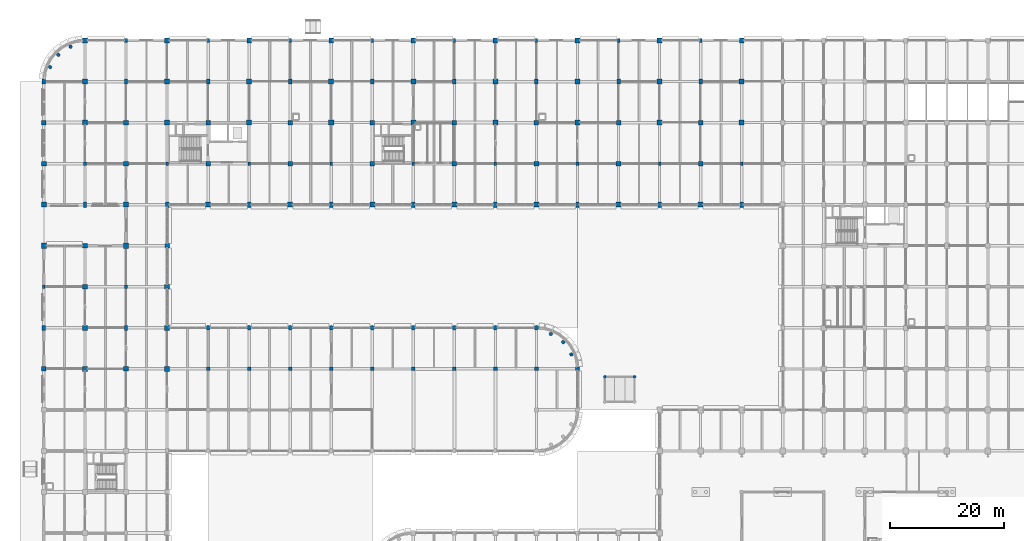
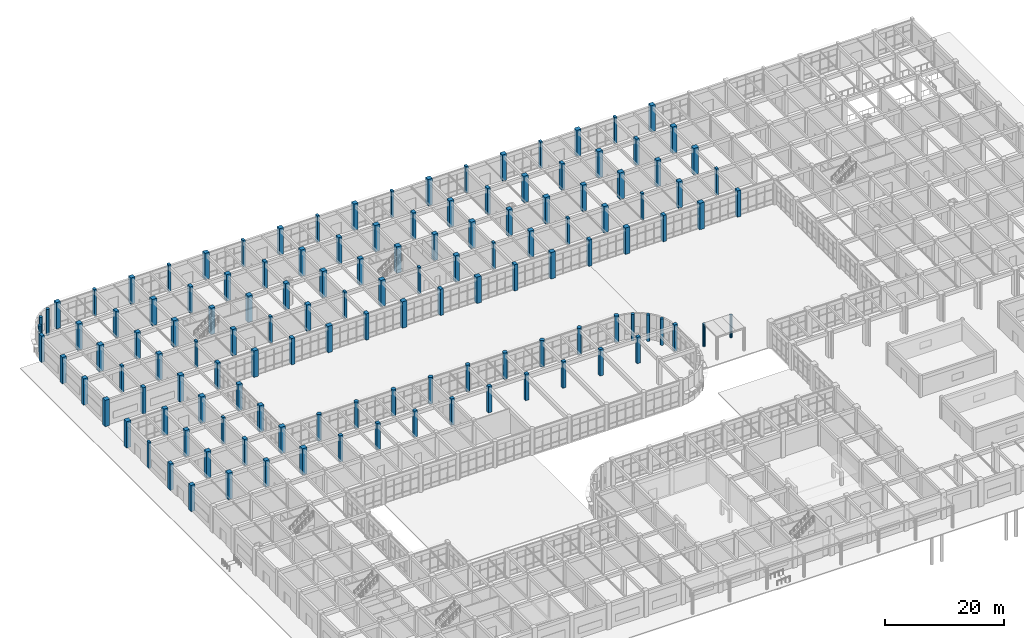
# One storey, part 7 of 160: 132 columns.
"""IFC4 building model written with IfcOpenShell, lengths in metres."""

from ifc_helpers import new_model, si_unit, direction, frame, origin, origin_2d, place, context, subcontext, project, spatial, rectangle, circle, extrude, material, material_profile, profile_set, type_object, element, save


model = new_model("IFC4")

# Units and contexts
model_context = context("Model", 3, precision=1e-05, world=origin(), true_north=direction((0.0, 1.0)))
body_context = subcontext(model_context, "Body", "Model", "MODEL_VIEW")
ifc_project = project(units=[si_unit("LENGTHUNIT", "METRE"), si_unit("AREAUNIT", "SQUARE_METRE"), si_unit("VOLUMEUNIT", "CUBIC_METRE"), si_unit("PLANEANGLEUNIT", "RADIAN"), si_unit("MASSUNIT", "GRAM", prefix="KILO")], contexts=[model_context])

# Site, building, storey
site_placement = place(None, origin())
site = spatial("IfcSite", under=ifc_project, at=site_placement, CompositionType="ELEMENT")
building_placement = place(site_placement, origin())
building = spatial("IfcBuilding", under=site, at=building_placement, Name="Thalmaran Polytechnic", CompositionType="ELEMENT")
storey_placement = place(building_placement, origin())
storey = spatial("IfcBuildingStorey", under=building, at=storey_placement, Name="L00", CompositionType="ELEMENT", Elevation=0.0)

# Columns
ifc_material_1 = material(Name="Concrete C40/50", Category="concrete")
ifc_material_profile_1 = material_profile(ifc_material_1, circle(Radius=0.25, at=origin_2d()), Name="RC 500 DIA")
ifc_profile_set_1 = profile_set([ifc_material_profile_1], Name="Concrete C40/50")
column_type_1 = type_object("IfcColumnType", Name="COL-AC1", PredefinedType="COLUMN", material=ifc_profile_set_1)
for number, where, z_axis, x_axis, name in (
    (1, (98.39990234375, 63.39990234375, 0.0), (0.0, 0.0, 1.0), (1.0, 0.0, 0.0), "Court Canopy Column 0-63"),
    (2, (103.60009765625, 63.39990234375, 0.0), (0.0, 0.0, 1.0), (1.0, 0.0, 0.0), "Court Canopy Column 1-63"),
):
    element("IfcColumn", number, at=place(storey_placement, frame(where, z_axis=z_axis, x_axis=x_axis)), inside=storey, type_object=column_type_1, Name=name, PredefinedType="COLUMN", context=body_context, shape_type="SweptSolid", body=[
        extrude(circle(Radius=0.25, at=origin_2d()), origin(), (0.0, 0.0, 1.0), 4.60009765625),
    ])
ifc_material_2 = material(Name="Concrete C50/60", Category="concrete")
ifc_material_profile_2 = material_profile(ifc_material_2, rectangle(XDim=0.89990234375, YDim=0.89990234375, at=origin_2d()), Name="RC 900x900")
ifc_profile_set_2 = profile_set([ifc_material_profile_2], Name="Concrete C50/60")
column_type_2 = type_object("IfcColumnType", Name="COL-C01", PredefinedType="COLUMN", material=ifc_profile_set_2)
for number, where, z_axis, x_axis, name in (
    (3, (0.0, 86.39990234375, 0.0), (0.0, 0.0, 1.0), (1.0, 0.0, 0.0), "Column C01 L00 (0,12)"),
    (4, (7.199951171875, 64.800048828125, 0.0), (0.0, 0.0, 1.0), (1.0, 0.0, 0.0), "Column C01 L00 (1,9)"),
    (5, (7.199951171875, 108.0, 0.0), (0.0, 0.0, 1.0), (1.0, 0.0, 0.0), "Column C01 L00 (1,15)"),
    (6, (14.39990234375, 86.39990234375, 0.0), (0.0, 0.0, 1.0), (1.0, 0.0, 0.0), "Column C01 L00 (2,12)"),
    (7, (21.60009765625, 64.800048828125, 0.0), (0.0, 0.0, 1.0), (1.0, 0.0, 0.0), "Column C01 L00 (3,9)"),
    (8, (21.60009765625, 108.0, 0.0), (0.0, 0.0, 1.0), (1.0, 0.0, 0.0), "Column C01 L00 (3,15)"),
    (9, (36.0, 108.0, 0.0), (0.0, 0.0, 1.0), (1.0, 0.0, 0.0), "Column C01 L00 (5,15)"),
    (10, (50.39990234375, 108.0, 0.0), (0.0, 0.0, 1.0), (1.0, 0.0, 0.0), "Column C01 L00 (7,15)"),
    (11, (64.800048828125, 108.0, 0.0), (0.0, 0.0, 1.0), (1.0, 0.0, 0.0), "Column C01 L00 (9,15)"),
    (12, (79.199951171875, 108.0, 0.0), (0.0, 0.0, 1.0), (1.0, 0.0, 0.0), "Column C01 L00 (11,15)"),
    (13, (93.60009765625, 108.0, 0.0), (0.0, 0.0, 1.0), (1.0, 0.0, 0.0), "Column C01 L00 (13,15)"),
    (14, (108.0, 108.0, 0.0), (0.0, 0.0, 1.0), (1.0, 0.0, 0.0), "Column C01 L00 (15,15)"),
    (15, (122.39990234375, 108.0, 0.0), (0.0, 0.0, 1.0), (1.0, 0.0, 0.0), "Column C01 L00 (17,15)"),
):
    element("IfcColumn", number, at=place(storey_placement, frame(where, z_axis=z_axis, x_axis=x_axis)), inside=storey, type_object=column_type_2, Name=name, PredefinedType="COLUMN", context=body_context, shape_type="SweptSolid", body=[
        extrude(rectangle(XDim=0.89990234375, YDim=0.89990234375, at=origin_2d()), origin(), (0.0, 0.0, 1.0), 5.39990234375),
    ])
ifc_material_profile_3 = material_profile(ifc_material_2, rectangle(XDim=0.800048828125, YDim=0.800048828125, at=origin_2d()), Name="RC 800x800")
ifc_profile_set_3 = profile_set([ifc_material_profile_3], Name="Concrete C50/60")
column_type_3 = type_object("IfcColumnType", Name="COL-C03", PredefinedType="COLUMN", material=ifc_profile_set_3)
for number, where, z_axis, x_axis, name in (
    (16, (0.0, 64.800048828125, 0.0), (0.0, 0.0, 1.0), (1.0, 0.0, 0.0), "Column C03 L00 (0,9)"),
    (17, (0.0, 108.0, 0.0), (0.0, 0.0, 1.0), (1.0, 0.0, 0.0), "Column C03 L00 (0,15)"),
    (18, (7.199951171875, 86.39990234375, 0.0), (0.0, 0.0, 1.0), (1.0, 0.0, 0.0), "Column C03 L00 (1,12)"),
    (19, (14.39990234375, 64.800048828125, 0.0), (0.0, 0.0, 1.0), (1.0, 0.0, 0.0), "Column C03 L00 (2,9)"),
    (20, (14.39990234375, 108.0, 0.0), (0.0, 0.0, 1.0), (1.0, 0.0, 0.0), "Column C03 L00 (2,15)"),
    (21, (21.60009765625, 86.39990234375, 0.0), (0.0, 0.0, 1.0), (1.0, 0.0, 0.0), "Column C03 L00 (3,12)"),
    (22, (28.800048828125, 108.0, 0.0), (0.0, 0.0, 1.0), (1.0, 0.0, 0.0), "Column C03 L00 (4,15)"),
    (23, (43.199951171875, 108.0, 0.0), (0.0, 0.0, 1.0), (1.0, 0.0, 0.0), "Column C03 L00 (6,15)"),
    (24, (57.60009765625, 108.0, 0.0), (0.0, 0.0, 1.0), (1.0, 0.0, 0.0), "Column C03 L00 (8,15)"),
    (25, (72.0, 108.0, 0.0), (0.0, 0.0, 1.0), (1.0, 0.0, 0.0), "Column C03 L00 (10,15)"),
    (26, (86.39990234375, 108.0, 0.0), (0.0, 0.0, 1.0), (1.0, 0.0, 0.0), "Column C03 L00 (12,15)"),
    (27, (100.800048828125, 108.0, 0.0), (0.0, 0.0, 1.0), (1.0, 0.0, 0.0), "Column C03 L00 (14,15)"),
    (28, (115.199951171875, 108.0, 0.0), (0.0, 0.0, 1.0), (1.0, 0.0, 0.0), "Column C03 L00 (16,15)"),
):
    element("IfcColumn", number, at=place(storey_placement, frame(where, z_axis=z_axis, x_axis=x_axis)), inside=storey, type_object=column_type_3, Name=name, PredefinedType="COLUMN", context=body_context, shape_type="SweptSolid", body=[
        extrude(rectangle(XDim=0.800048828125, YDim=0.800048828125, at=origin_2d()), origin(), (0.0, 0.0, 1.0), 5.39990234375),
    ])
ifc_material_profile_4 = material_profile(ifc_material_1, rectangle(XDim=0.64990234375, YDim=0.64990234375, at=origin_2d()), Name="RC 650x650")
ifc_profile_set_4 = profile_set([ifc_material_profile_4], Name="Concrete C40/50")
column_type_4 = type_object("IfcColumnType", Name="COL-C06", PredefinedType="COLUMN", material=ifc_profile_set_4)
for number, where, z_axis, x_axis, name in (
    (29, (28.800048828125, 64.800048828125, 0.0), (0.0, 0.0, 1.0), (1.0, 0.0, 0.0), "Column C06 L00 (4,9)"),
    (30, (36.0, 64.800048828125, 0.0), (0.0, 0.0, 1.0), (1.0, 0.0, 0.0), "Column C06 L00 (5,9)"),
    (31, (43.199951171875, 64.800048828125, 0.0), (0.0, 0.0, 1.0), (1.0, 0.0, 0.0), "Column C06 L00 (6,9)"),
    (32, (50.39990234375, 64.800048828125, 0.0), (0.0, 0.0, 1.0), (1.0, 0.0, 0.0), "Column C06 L00 (7,9)"),
    (33, (57.60009765625, 64.800048828125, 0.0), (0.0, 0.0, 1.0), (1.0, 0.0, 0.0), "Column C06 L00 (8,9)"),
    (34, (64.800048828125, 64.800048828125, 0.0), (0.0, 0.0, 1.0), (1.0, 0.0, 0.0), "Column C06 L00 (9,9)"),
    (35, (72.0, 64.800048828125, 0.0), (0.0, 0.0, 1.0), (1.0, 0.0, 0.0), "Column C06 L00 (10,9)"),
    (36, (79.199951171875, 64.800048828125, 0.0), (0.0, 0.0, 1.0), (1.0, 0.0, 0.0), "Column C06 L00 (11,9)"),
    (37, (86.39990234375, 64.800048828125, 0.0), (0.0, 0.0, 1.0), (1.0, 0.0, 0.0), "Column C06 L00 (12,9)"),
    (38, (93.60009765625, 64.800048828125, 0.0), (0.0, 0.0, 1.0), (1.0, 0.0, 0.0), "Column C06 L00 (13,9)"),
):
    element("IfcColumn", number, at=place(storey_placement, frame(where, z_axis=z_axis, x_axis=x_axis)), inside=storey, type_object=column_type_4, Name=name, PredefinedType="COLUMN", context=body_context, shape_type="SweptSolid", body=[
        extrude(rectangle(XDim=0.64990234375, YDim=0.64990234375, at=origin_2d()), origin(), (0.0, 0.0, 1.0), 5.39990234375),
    ])
ifc_material_profile_5 = material_profile(ifc_material_2, rectangle(XDim=0.60009765625, YDim=0.89990234375, at=origin_2d()), Name="RC 600x900")
ifc_profile_set_5 = profile_set([ifc_material_profile_5], Name="Concrete C50/60")
column_type_5 = type_object("IfcColumnType", Name="COL-C11", PredefinedType="COLUMN", material=ifc_profile_set_5)
for number, where, z_axis, x_axis, name in (
    (39, (0.0, 72.0, 0.0), (0.0, 0.0, 1.0), (1.0, 0.0, 0.0), "Column C11 L00 (0,10)"),
    (40, (0.0, 115.199951171875, 0.0), (0.0, 0.0, 1.0), (1.0, 0.0, 0.0), "Column C11 L00 (0,16)"),
    (41, (7.199951171875, 93.60009765625, 0.0), (0.0, 0.0, 1.0), (1.0, 0.0, 0.0), "Column C11 L00 (1,13)"),
    (42, (14.39990234375, 72.0, 0.0), (0.0, 0.0, 1.0), (1.0, 0.0, 0.0), "Column C11 L00 (2,10)"),
    (43, (14.39990234375, 115.199951171875, 0.0), (0.0, 0.0, 1.0), (1.0, 0.0, 0.0), "Column C11 L00 (2,16)"),
    (44, (21.60009765625, 93.60009765625, 0.0), (0.0, 0.0, 1.0), (1.0, 0.0, 0.0), "Column C11 L00 (3,13)"),
    (45, (28.800048828125, 115.199951171875, 0.0), (0.0, 0.0, 1.0), (1.0, 0.0, 0.0), "Column C11 L00 (4,16)"),
    (46, (36.0, 93.60009765625, 0.0), (0.0, 0.0, 1.0), (1.0, 0.0, 0.0), "Column C11 L00 (5,13)"),
    (47, (43.199951171875, 115.199951171875, 0.0), (0.0, 0.0, 1.0), (1.0, 0.0, 0.0), "Column C11 L00 (6,16)"),
    (48, (50.39990234375, 93.60009765625, 0.0), (0.0, 0.0, 1.0), (1.0, 0.0, 0.0), "Column C11 L00 (7,13)"),
    (49, (57.60009765625, 115.199951171875, 0.0), (0.0, 0.0, 1.0), (1.0, 0.0, 0.0), "Column C11 L00 (8,16)"),
    (50, (64.800048828125, 93.60009765625, 0.0), (0.0, 0.0, 1.0), (1.0, 0.0, 0.0), "Column C11 L00 (9,13)"),
    (51, (72.0, 115.199951171875, 0.0), (0.0, 0.0, 1.0), (1.0, 0.0, 0.0), "Column C11 L00 (10,16)"),
    (52, (79.199951171875, 93.60009765625, 0.0), (0.0, 0.0, 1.0), (1.0, 0.0, 0.0), "Column C11 L00 (11,13)"),
    (53, (86.39990234375, 115.199951171875, 0.0), (0.0, 0.0, 1.0), (1.0, 0.0, 0.0), "Column C11 L00 (12,16)"),
    (54, (93.60009765625, 93.60009765625, 0.0), (0.0, 0.0, 1.0), (1.0, 0.0, 0.0), "Column C11 L00 (13,13)"),
    (55, (100.800048828125, 115.199951171875, 0.0), (0.0, 0.0, 1.0), (1.0, 0.0, 0.0), "Column C11 L00 (14,16)"),
    (56, (108.0, 93.60009765625, 0.0), (0.0, 0.0, 1.0), (1.0, 0.0, 0.0), "Column C11 L00 (15,13)"),
    (57, (115.199951171875, 115.199951171875, 0.0), (0.0, 0.0, 1.0), (1.0, 0.0, 0.0), "Column C11 L00 (16,16)"),
    (58, (122.39990234375, 93.60009765625, 0.0), (0.0, 0.0, 1.0), (1.0, 0.0, 0.0), "Column C11 L00 (17,13)"),
):
    element("IfcColumn", number, at=place(storey_placement, frame(where, z_axis=z_axis, x_axis=x_axis)), inside=storey, type_object=column_type_5, Name=name, PredefinedType="COLUMN", context=body_context, shape_type="SweptSolid", body=[
        extrude(rectangle(XDim=0.60009765625, YDim=0.89990234375, at=origin_2d()), origin(), (0.0, 0.0, 1.0), 5.39990234375),
    ])
ifc_material_profile_6 = material_profile(ifc_material_2, circle(Radius=0.39990234375, at=origin_2d()), Name="RC 800 DIA")
ifc_profile_set_6 = profile_set([ifc_material_profile_6], Name="Concrete C50/60")
column_type_6 = type_object("IfcColumnType", Name="COL-C14", PredefinedType="COLUMN", material=ifc_profile_set_6)
for number, where, z_axis, x_axis, name in (
    (59, (28.800048828125, 72.0, 0.0), (0.0, 0.0, 1.0), (1.0, 0.0, 0.0), "Column C14 L00 (4,10)"),
    (60, (36.0, 72.0, 0.0), (0.0, 0.0, 1.0), (1.0, 0.0, 0.0), "Column C14 L00 (5,10)"),
    (61, (43.199951171875, 72.0, 0.0), (0.0, 0.0, 1.0), (1.0, 0.0, 0.0), "Column C14 L00 (6,10)"),
    (62, (50.39990234375, 72.0, 0.0), (0.0, 0.0, 1.0), (1.0, 0.0, 0.0), "Column C14 L00 (7,10)"),
    (63, (57.60009765625, 72.0, 0.0), (0.0, 0.0, 1.0), (1.0, 0.0, 0.0), "Column C14 L00 (8,10)"),
    (64, (64.800048828125, 72.0, 0.0), (0.0, 0.0, 1.0), (1.0, 0.0, 0.0), "Column C14 L00 (9,10)"),
    (65, (72.0, 72.0, 0.0), (0.0, 0.0, 1.0), (1.0, 0.0, 0.0), "Column C14 L00 (10,10)"),
    (66, (79.199951171875, 72.0, 0.0), (0.0, 0.0, 1.0), (1.0, 0.0, 0.0), "Column C14 L00 (11,10)"),
    (67, (86.39990234375, 72.0, 0.0), (0.0, 0.0, 1.0), (1.0, 0.0, 0.0), "Column C14 L00 (12,10)"),
):
    element("IfcColumn", number, at=place(storey_placement, frame(where, z_axis=z_axis, x_axis=x_axis)), inside=storey, type_object=column_type_6, Name=name, PredefinedType="COLUMN", context=body_context, shape_type="SweptSolid", body=[
        extrude(circle(Radius=0.39990234375, at=origin_2d()), origin(), (0.0, 0.0, 1.0), 5.39990234375),
    ])
ifc_material_profile_7 = material_profile(ifc_material_1, circle(Radius=0.300048828125, at=origin_2d()), Name="RC 600 DIA")
ifc_profile_set_7 = profile_set([ifc_material_profile_7], Name="Concrete C40/50")
column_type_7 = type_object("IfcColumnType", Name="COL-C16", PredefinedType="COLUMN", material=ifc_profile_set_7)
for number, where, z_axis, x_axis, name in (
    (68, (4.666748046875, 121.316162109375, 0.0), (0.0, 0.0, 1.0), (1.0, 0.0, 0.0), "Prow Column NWP1 L00"),
    (69, (2.51904296875, 119.881103515625, 0.0), (0.0, 0.0, 1.0), (1.0, 0.0, 0.0), "Prow Column NWP2 L00"),
    (70, (1.083984375, 117.7333984375, 0.0), (0.0, 0.0, 1.0), (1.0, 0.0, 0.0), "Prow Column NWP3 L00"),
    (71, (92.51611328125, 67.333251953125, 0.0), (0.0, 0.0, 1.0), (1.0, 0.0, 0.0), "Refectory Drum Column V6NE1 L00"),
    (72, (91.0810546875, 69.48095703125, 0.0), (0.0, 0.0, 1.0), (1.0, 0.0, 0.0), "Refectory Drum Column V6NE2 L00"),
    (73, (88.933349609375, 70.916015625, 0.0), (0.0, 0.0, 1.0), (1.0, 0.0, 0.0), "Refectory Drum Column V6NE3 L00"),
):
    element("IfcColumn", number, at=place(storey_placement, frame(where, z_axis=z_axis, x_axis=x_axis)), inside=storey, type_object=column_type_7, Name=name, PredefinedType="COLUMN", context=body_context, shape_type="SweptSolid", body=[
        extrude(circle(Radius=0.300048828125, at=origin_2d()), origin(), (0.0, 0.0, 1.0), 5.39990234375),
    ])
ifc_material_profile_8 = material_profile(ifc_material_1, rectangle(XDim=0.449951171875, YDim=0.64990234375, at=origin_2d()), Name="RC 450x650")
ifc_profile_set_8 = profile_set([ifc_material_profile_8], Name="Concrete C40/50")
column_type_8 = type_object("IfcColumnType", Name="COL-PL1", PredefinedType="PILASTER", material=ifc_profile_set_8)
for number, where, z_axis, x_axis, name in (
    (74, (0.0, 79.199951171875, 0.0), (0.0, 0.0, 1.0), (1.0, 0.0, 0.0), "Column PL1 L00 (0,11)"),
    (75, (7.199951171875, 100.800048828125, 0.0), (0.0, 0.0, 1.0), (1.0, 0.0, 0.0), "Column PL1 L00 (1,14)"),
    (76, (14.39990234375, 79.199951171875, 0.0), (0.0, 0.0, 1.0), (1.0, 0.0, 0.0), "Column PL1 L00 (2,11)"),
    (77, (14.39990234375, 122.39990234375, 0.0), (0.0, 0.0, 1.0), (1.0, 0.0, 0.0), "Column PL1 L00 (2,17)"),
    (78, (21.60009765625, 100.800048828125, 0.0), (0.0, 0.0, 1.0), (1.0, 0.0, 0.0), "Column PL1 L00 (3,14)"),
    (79, (28.800048828125, 122.39990234375, 0.0), (0.0, 0.0, 1.0), (1.0, 0.0, 0.0), "Column PL1 L00 (4,17)"),
    (80, (36.0, 100.800048828125, 0.0), (0.0, 0.0, 1.0), (1.0, 0.0, 0.0), "Column PL1 L00 (5,14)"),
    (81, (43.199951171875, 122.39990234375, 0.0), (0.0, 0.0, 1.0), (1.0, 0.0, 0.0), "Column PL1 L00 (6,17)"),
    (82, (50.39990234375, 100.800048828125, 0.0), (0.0, 0.0, 1.0), (1.0, 0.0, 0.0), "Column PL1 L00 (7,14)"),
    (83, (57.60009765625, 122.39990234375, 0.0), (0.0, 0.0, 1.0), (1.0, 0.0, 0.0), "Column PL1 L00 (8,17)"),
    (84, (64.800048828125, 100.800048828125, 0.0), (0.0, 0.0, 1.0), (1.0, 0.0, 0.0), "Column PL1 L00 (9,14)"),
    (85, (72.0, 122.39990234375, 0.0), (0.0, 0.0, 1.0), (1.0, 0.0, 0.0), "Column PL1 L00 (10,17)"),
    (86, (79.199951171875, 100.800048828125, 0.0), (0.0, 0.0, 1.0), (1.0, 0.0, 0.0), "Column PL1 L00 (11,14)"),
    (87, (86.39990234375, 122.39990234375, 0.0), (0.0, 0.0, 1.0), (1.0, 0.0, 0.0), "Column PL1 L00 (12,17)"),
    (88, (93.60009765625, 100.800048828125, 0.0), (0.0, 0.0, 1.0), (1.0, 0.0, 0.0), "Column PL1 L00 (13,14)"),
    (89, (100.800048828125, 122.39990234375, 0.0), (0.0, 0.0, 1.0), (1.0, 0.0, 0.0), "Column PL1 L00 (14,17)"),
    (90, (108.0, 100.800048828125, 0.0), (0.0, 0.0, 1.0), (1.0, 0.0, 0.0), "Column PL1 L00 (15,14)"),
    (91, (115.199951171875, 122.39990234375, 0.0), (0.0, 0.0, 1.0), (1.0, 0.0, 0.0), "Column PL1 L00 (16,17)"),
    (92, (122.39990234375, 100.800048828125, 0.0), (0.0, 0.0, 1.0), (1.0, 0.0, 0.0), "Column PL1 L00 (17,14)"),
):
    element("IfcColumn", number, at=place(storey_placement, frame(where, z_axis=z_axis, x_axis=x_axis)), inside=storey, type_object=column_type_8, Name=name, PredefinedType="PILASTER", context=body_context, shape_type="SweptSolid", body=[
        extrude(rectangle(XDim=0.449951171875, YDim=0.64990234375, at=origin_2d()), origin(), (0.0, 0.0, 1.0), 5.39990234375),
    ])
ifc_material_profile_9 = material_profile(ifc_material_2, rectangle(XDim=0.8798828125, YDim=0.8798828125, at=origin_2d()), Name="RC 880x880")
ifc_profile_set_9 = profile_set([ifc_material_profile_9], Name="Concrete C50/60")
column_type_9 = type_object("IfcColumnType", Name="COL-ZC01", PredefinedType="COLUMN", material=ifc_profile_set_9)
for number, where, z_axis, x_axis, name in (
    (93, (0.0, 93.60009765625, 0.0), (0.0, 0.0, 1.0), (1.0, 0.0, 0.0), "Column ZC01 L00 (0,13)"),
    (94, (7.199951171875, 72.0, 0.0), (0.0, 0.0, 1.0), (1.0, 0.0, 0.0), "Column ZC01 L00 (1,10)"),
    (95, (7.199951171875, 115.199951171875, 0.0), (0.0, 0.0, 1.0), (1.0, 0.0, 0.0), "Column ZC01 L00 (1,16)"),
    (96, (14.39990234375, 93.60009765625, 0.0), (0.0, 0.0, 1.0), (1.0, 0.0, 0.0), "Column ZC01 L00 (2,13)"),
    (97, (21.60009765625, 72.0, 0.0), (0.0, 0.0, 1.0), (1.0, 0.0, 0.0), "Column ZC01 L00 (3,10)"),
    (98, (21.60009765625, 115.199951171875, 0.0), (0.0, 0.0, 1.0), (1.0, 0.0, 0.0), "Column ZC01 L00 (3,16)"),
    (99, (28.800048828125, 93.60009765625, 0.0), (0.0, 0.0, 1.0), (1.0, 0.0, 0.0), "Column ZC01 L00 (4,13)"),
    (100, (36.0, 115.199951171875, 0.0), (0.0, 0.0, 1.0), (1.0, 0.0, 0.0), "Column ZC01 L00 (5,16)"),
    (101, (43.199951171875, 93.60009765625, 0.0), (0.0, 0.0, 1.0), (1.0, 0.0, 0.0), "Column ZC01 L00 (6,13)"),
    (102, (50.39990234375, 115.199951171875, 0.0), (0.0, 0.0, 1.0), (1.0, 0.0, 0.0), "Column ZC01 L00 (7,16)"),
    (103, (57.60009765625, 93.60009765625, 0.0), (0.0, 0.0, 1.0), (1.0, 0.0, 0.0), "Column ZC01 L00 (8,13)"),
    (104, (64.800048828125, 115.199951171875, 0.0), (0.0, 0.0, 1.0), (1.0, 0.0, 0.0), "Column ZC01 L00 (9,16)"),
    (105, (72.0, 93.60009765625, 0.0), (0.0, 0.0, 1.0), (1.0, 0.0, 0.0), "Column ZC01 L00 (10,13)"),
    (106, (79.199951171875, 115.199951171875, 0.0), (0.0, 0.0, 1.0), (1.0, 0.0, 0.0), "Column ZC01 L00 (11,16)"),
    (107, (86.39990234375, 93.60009765625, 0.0), (0.0, 0.0, 1.0), (1.0, 0.0, 0.0), "Column ZC01 L00 (12,13)"),
    (108, (93.60009765625, 115.199951171875, 0.0), (0.0, 0.0, 1.0), (1.0, 0.0, 0.0), "Column ZC01 L00 (13,16)"),
    (109, (100.800048828125, 93.60009765625, 0.0), (0.0, 0.0, 1.0), (1.0, 0.0, 0.0), "Column ZC01 L00 (14,13)"),
    (110, (108.0, 115.199951171875, 0.0), (0.0, 0.0, 1.0), (1.0, 0.0, 0.0), "Column ZC01 L00 (15,16)"),
    (111, (115.199951171875, 93.60009765625, 0.0), (0.0, 0.0, 1.0), (1.0, 0.0, 0.0), "Column ZC01 L00 (16,13)"),
    (112, (122.39990234375, 115.199951171875, 0.0), (0.0, 0.0, 1.0), (1.0, 0.0, 0.0), "Column ZC01 L00 (17,16)"),
):
    element("IfcColumn", number, at=place(storey_placement, frame(where, z_axis=z_axis, x_axis=x_axis)), inside=storey, type_object=column_type_9, Name=name, PredefinedType="COLUMN", context=body_context, shape_type="SweptSolid", body=[
        extrude(rectangle(XDim=0.8798828125, YDim=0.8798828125, at=origin_2d()), origin(), (0.0, 0.0, 1.0), 5.39990234375),
    ])
ifc_material_profile_10 = material_profile(ifc_material_2, rectangle(XDim=0.820068359375, YDim=0.820068359375, at=origin_2d()), Name="RC 820x820")
ifc_profile_set_10 = profile_set([ifc_material_profile_10], Name="Concrete C50/60")
column_type_10 = type_object("IfcColumnType", Name="COL-ZC02", PredefinedType="COLUMN", material=ifc_profile_set_10)
for number, where, z_axis, x_axis, name in (
    (113, (0.0, 100.800048828125, 0.0), (0.0, 0.0, 1.0), (1.0, 0.0, 0.0), "Column ZC02 L00 (0,14)"),
    (114, (7.199951171875, 79.199951171875, 0.0), (0.0, 0.0, 1.0), (1.0, 0.0, 0.0), "Column ZC02 L00 (1,11)"),
    (115, (7.199951171875, 122.39990234375, 0.0), (0.0, 0.0, 1.0), (1.0, 0.0, 0.0), "Column ZC02 L00 (1,17)"),
    (116, (14.39990234375, 100.800048828125, 0.0), (0.0, 0.0, 1.0), (1.0, 0.0, 0.0), "Column ZC02 L00 (2,14)"),
    (117, (21.60009765625, 79.199951171875, 0.0), (0.0, 0.0, 1.0), (1.0, 0.0, 0.0), "Column ZC02 L00 (3,11)"),
    (118, (21.60009765625, 122.39990234375, 0.0), (0.0, 0.0, 1.0), (1.0, 0.0, 0.0), "Column ZC02 L00 (3,17)"),
    (119, (28.800048828125, 100.800048828125, 0.0), (0.0, 0.0, 1.0), (1.0, 0.0, 0.0), "Column ZC02 L00 (4,14)"),
    (120, (36.0, 122.39990234375, 0.0), (0.0, 0.0, 1.0), (1.0, 0.0, 0.0), "Column ZC02 L00 (5,17)"),
    (121, (43.199951171875, 100.800048828125, 0.0), (0.0, 0.0, 1.0), (1.0, 0.0, 0.0), "Column ZC02 L00 (6,14)"),
    (122, (50.39990234375, 122.39990234375, 0.0), (0.0, 0.0, 1.0), (1.0, 0.0, 0.0), "Column ZC02 L00 (7,17)"),
    (123, (57.60009765625, 100.800048828125, 0.0), (0.0, 0.0, 1.0), (1.0, 0.0, 0.0), "Column ZC02 L00 (8,14)"),
    (124, (64.800048828125, 122.39990234375, 0.0), (0.0, 0.0, 1.0), (1.0, 0.0, 0.0), "Column ZC02 L00 (9,17)"),
    (125, (72.0, 100.800048828125, 0.0), (0.0, 0.0, 1.0), (1.0, 0.0, 0.0), "Column ZC02 L00 (10,14)"),
    (126, (79.199951171875, 122.39990234375, 0.0), (0.0, 0.0, 1.0), (1.0, 0.0, 0.0), "Column ZC02 L00 (11,17)"),
    (127, (86.39990234375, 100.800048828125, 0.0), (0.0, 0.0, 1.0), (1.0, 0.0, 0.0), "Column ZC02 L00 (12,14)"),
    (128, (93.60009765625, 122.39990234375, 0.0), (0.0, 0.0, 1.0), (1.0, 0.0, 0.0), "Column ZC02 L00 (13,17)"),
    (129, (100.800048828125, 100.800048828125, 0.0), (0.0, 0.0, 1.0), (1.0, 0.0, 0.0), "Column ZC02 L00 (14,14)"),
    (130, (108.0, 122.39990234375, 0.0), (0.0, 0.0, 1.0), (1.0, 0.0, 0.0), "Column ZC02 L00 (15,17)"),
    (131, (115.199951171875, 100.800048828125, 0.0), (0.0, 0.0, 1.0), (1.0, 0.0, 0.0), "Column ZC02 L00 (16,14)"),
    (132, (122.39990234375, 122.39990234375, 0.0), (0.0, 0.0, 1.0), (1.0, 0.0, 0.0), "Column ZC02 L00 (17,17)"),
):
    element("IfcColumn", number, at=place(storey_placement, frame(where, z_axis=z_axis, x_axis=x_axis)), inside=storey, type_object=column_type_10, Name=name, PredefinedType="COLUMN", context=body_context, shape_type="SweptSolid", body=[
        extrude(rectangle(XDim=0.820068359375, YDim=0.820068359375, at=origin_2d()), origin(), (0.0, 0.0, 1.0), 5.39990234375),
    ])

save(model, "model.ifc")
